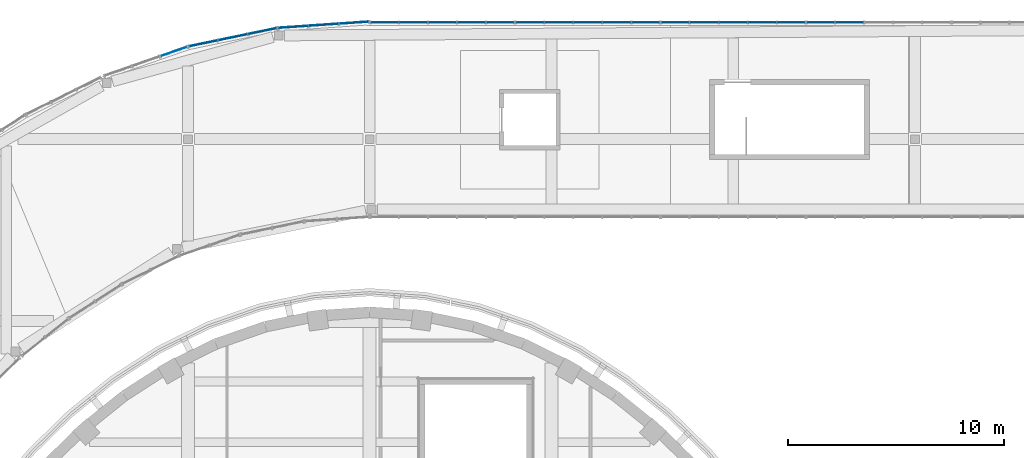
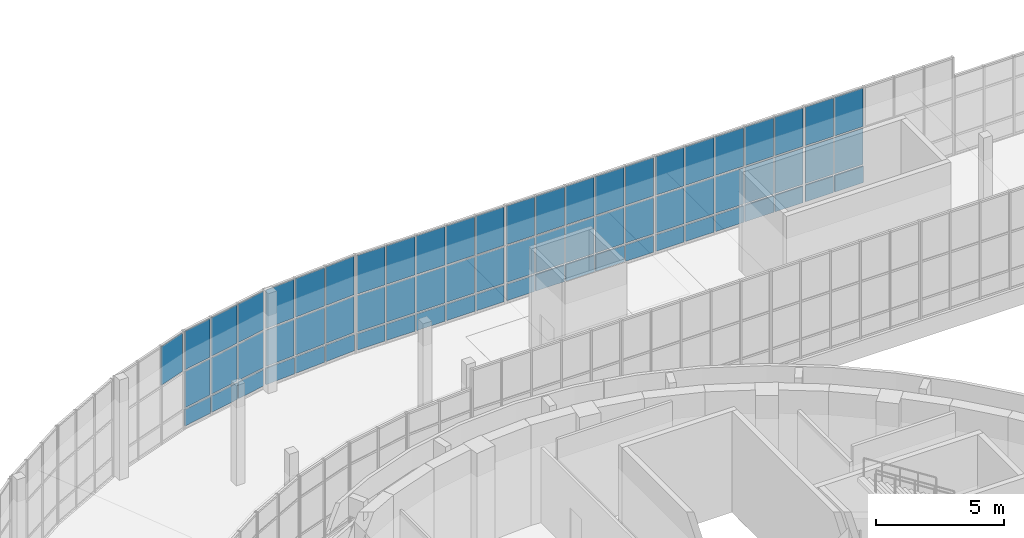
# One storey, part 47 of 103: 70 plates, 7 elements without a shape of their own.
"""IFC4 building model written with IfcOpenShell, lengths in metres."""

from ifc_helpers import new_model, si_unit, direction, frame, origin, origin_2d, place, context, subcontext, project, spatial, rectangle, extrude, material, layer, layer_set, type_object, element, aggregate, save


model = new_model("IFC4")

# Units and contexts
model_context = context("Model", 3, precision=1e-05, world=origin(), true_north=direction((0.0, 1.0)))
body_context = subcontext(model_context, "Body", "Model", "MODEL_VIEW")
ifc_project = project(units=[si_unit("LENGTHUNIT", "METRE"), si_unit("AREAUNIT", "SQUARE_METRE"), si_unit("VOLUMEUNIT", "CUBIC_METRE"), si_unit("PLANEANGLEUNIT", "RADIAN"), si_unit("MASSUNIT", "GRAM", prefix="KILO")], contexts=[model_context])

# Site, building, storey
site_placement = place(None, origin())
site = spatial("IfcSite", under=ifc_project, at=site_placement, CompositionType="ELEMENT")
building_placement = place(site_placement, origin())
building = spatial("IfcBuilding", under=site, at=building_placement, Name="Larchfold Concert Hall", CompositionType="ELEMENT")
storey_placement = place(building_placement, frame((0.0, 0.0, 9.60009765625)))
storey = spatial("IfcBuildingStorey", under=building, at=storey_placement, Name="L02", CompositionType="ELEMENT", Elevation=9.60009765625)

# Curtain wall, plates
ifc_material_1 = material(Name="Anodised graphite aluminium curtain wall", Category="aluminium")
ifc_layer_1 = layer(ifc_material_1, 0.14990234375)
ifc_layer_set_1 = layer_set([ifc_layer_1], Name="Anodised graphite aluminium curtain wall")
curtain_wall_type = type_object("IfcCurtainWallType", Name="Curtain wall WG", PredefinedType="NOTDEFINED", material=ifc_layer_set_1)
curtain_wall_1_placement = place(storey_placement, origin())
curtain_wall_1 = element("IfcCurtainWall", 1, at=curtain_wall_1_placement, inside=storey, type_object=curtain_wall_type, Name="Curtain wall CW0251", PredefinedType="NOTDEFINED")
ifc_material_2 = material(Name="Insulated glazing unit, glass", Category="glass")
ifc_layer_2 = layer(ifc_material_2, 0.028076171875)
ifc_layer_set_2 = layer_set([ifc_layer_2], Name="Insulated glazing unit, glass")
plate_type_1 = type_object("IfcPlateType", Name="Glass panel 28", PredefinedType="CURTAIN_PANEL", material=ifc_layer_set_2)
plate_1_placement = place(storey_placement, frame((64.776123046875, 132.0, 0.93994140625), z_axis=(0.0, 0.0, 1.0), x_axis=(-1.0, 0.0, 0.0)))
plate_1 = element("IfcPlate", 2, at=plate_1_placement, type_object=plate_type_1, Name="CW0251 panel 4.2", PredefinedType="CURTAIN_PANEL", context=body_context, shape_type="SweptSolid", body=[
    extrude(rectangle(XDim=1.283935546875, YDim=0.028076171875, at=origin_2d()), origin(), (0.0, 0.0, 1.0), 1.719970703125),
])
plate_2_placement = place(storey_placement, frame((64.776123046875, 132.0, 2.740234375), z_axis=(0.0, 0.0, 1.0), x_axis=(-1.0, 0.0, 0.0)))
plate_2 = element("IfcPlate", 3, at=plate_2_placement, type_object=plate_type_1, Name="CW0251 panel 4.3", PredefinedType="CURTAIN_PANEL", context=body_context, shape_type="SweptSolid", body=[
    extrude(rectangle(XDim=1.283935546875, YDim=0.028076171875, at=origin_2d()), origin(), (0.0, 0.0, 1.0), 1.829833984375),
])
plate_3_placement = place(storey_placement, frame((63.447021484375, 132.0, 0.93994140625), z_axis=(0.0, 0.0, 1.0), x_axis=(-1.0, 0.0, 0.0)))
plate_3 = element("IfcPlate", 4, at=plate_3_placement, type_object=plate_type_1, Name="CW0251 panel 5.2", PredefinedType="CURTAIN_PANEL", context=body_context, shape_type="SweptSolid", body=[
    extrude(rectangle(XDim=1.25390625, YDim=0.028076171875, at=origin_2d()), origin(), (0.0, 0.0, 1.0), 1.719970703125),
])
plate_4_placement = place(storey_placement, frame((63.447021484375, 132.0, 2.740234375), z_axis=(0.0, 0.0, 1.0), x_axis=(-1.0, 0.0, 0.0)))
plate_4 = element("IfcPlate", 5, at=plate_4_placement, type_object=plate_type_1, Name="CW0251 panel 5.3", PredefinedType="CURTAIN_PANEL", context=body_context, shape_type="SweptSolid", body=[
    extrude(rectangle(XDim=1.25390625, YDim=0.028076171875, at=origin_2d()), origin(), (0.0, 0.0, 1.0), 1.829833984375),
])

curtain_wall_2_placement = place(storey_placement, origin())
curtain_wall_2 = element("IfcCurtainWall", 6, at=curtain_wall_2_placement, inside=storey, type_object=curtain_wall_type, Name="Curtain wall CW0252", PredefinedType="NOTDEFINED")
plate_5_placement = place(storey_placement, frame((62.072998046875, 132.0, 0.93994140625), z_axis=(0.0, 0.0, 1.0), x_axis=(-1.0, 0.0, 0.0)))
plate_5 = element("IfcPlate", 7, at=plate_5_placement, type_object=plate_type_1, Name="CW0252 panel 1.2", PredefinedType="CURTAIN_PANEL", context=body_context, shape_type="SweptSolid", body=[
    extrude(rectangle(XDim=1.25390625, YDim=0.028076171875, at=origin_2d()), origin(), (0.0, 0.0, 1.0), 1.719970703125),
])
plate_6_placement = place(storey_placement, frame((62.072998046875, 132.0, 2.740234375), z_axis=(0.0, 0.0, 1.0), x_axis=(-1.0, 0.0, 0.0)))
plate_6 = element("IfcPlate", 8, at=plate_6_placement, type_object=plate_type_1, Name="CW0252 panel 1.3", PredefinedType="CURTAIN_PANEL", context=body_context, shape_type="SweptSolid", body=[
    extrude(rectangle(XDim=1.25390625, YDim=0.028076171875, at=origin_2d()), origin(), (0.0, 0.0, 1.0), 1.829833984375),
])
plate_7_placement = place(storey_placement, frame((60.744140625, 132.0, 0.93994140625), z_axis=(0.0, 0.0, 1.0), x_axis=(-1.0, 0.0, 0.0)))
plate_7 = element("IfcPlate", 9, at=plate_7_placement, type_object=plate_type_1, Name="CW0252 panel 2.2", PredefinedType="CURTAIN_PANEL", context=body_context, shape_type="SweptSolid", body=[
    extrude(rectangle(XDim=1.283935546875, YDim=0.028076171875, at=origin_2d()), origin(), (0.0, 0.0, 1.0), 1.719970703125),
])
plate_8_placement = place(storey_placement, frame((60.744140625, 132.0, 2.740234375), z_axis=(0.0, 0.0, 1.0), x_axis=(-1.0, 0.0, 0.0)))
plate_8 = element("IfcPlate", 10, at=plate_8_placement, type_object=plate_type_1, Name="CW0252 panel 2.3", PredefinedType="CURTAIN_PANEL", context=body_context, shape_type="SweptSolid", body=[
    extrude(rectangle(XDim=1.283935546875, YDim=0.028076171875, at=origin_2d()), origin(), (0.0, 0.0, 1.0), 1.829833984375),
])
plate_9_placement = place(storey_placement, frame((59.39990234375, 132.0, 0.93994140625), z_axis=(0.0, 0.0, 1.0), x_axis=(-1.0, 0.0, 0.0)))
plate_9 = element("IfcPlate", 11, at=plate_9_placement, type_object=plate_type_1, Name="CW0252 panel 3.2", PredefinedType="CURTAIN_PANEL", context=body_context, shape_type="SweptSolid", body=[
    extrude(rectangle(XDim=1.283935546875, YDim=0.028076171875, at=origin_2d()), origin(), (0.0, 0.0, 1.0), 1.719970703125),
])
plate_10_placement = place(storey_placement, frame((59.39990234375, 132.0, 2.740234375), z_axis=(0.0, 0.0, 1.0), x_axis=(-1.0, 0.0, 0.0)))
plate_10 = element("IfcPlate", 12, at=plate_10_placement, type_object=plate_type_1, Name="CW0252 panel 3.3", PredefinedType="CURTAIN_PANEL", context=body_context, shape_type="SweptSolid", body=[
    extrude(rectangle(XDim=1.283935546875, YDim=0.028076171875, at=origin_2d()), origin(), (0.0, 0.0, 1.0), 1.829833984375),
])
plate_11_placement = place(storey_placement, frame((58.055908203125, 132.0, 0.93994140625), z_axis=(0.0, 0.0, 1.0), x_axis=(-1.0, 0.0, 0.0)))
plate_11 = element("IfcPlate", 13, at=plate_11_placement, type_object=plate_type_1, Name="CW0252 panel 4.2", PredefinedType="CURTAIN_PANEL", context=body_context, shape_type="SweptSolid", body=[
    extrude(rectangle(XDim=1.283935546875, YDim=0.028076171875, at=origin_2d()), origin(), (0.0, 0.0, 1.0), 1.719970703125),
])
plate_12_placement = place(storey_placement, frame((58.055908203125, 132.0, 2.740234375), z_axis=(0.0, 0.0, 1.0), x_axis=(-1.0, 0.0, 0.0)))
plate_12 = element("IfcPlate", 14, at=plate_12_placement, type_object=plate_type_1, Name="CW0252 panel 4.3", PredefinedType="CURTAIN_PANEL", context=body_context, shape_type="SweptSolid", body=[
    extrude(rectangle(XDim=1.283935546875, YDim=0.028076171875, at=origin_2d()), origin(), (0.0, 0.0, 1.0), 1.829833984375),
])
plate_13_placement = place(storey_placement, frame((56.72705078125, 132.0, 0.93994140625), z_axis=(0.0, 0.0, 1.0), x_axis=(-1.0, 0.0, 0.0)))
plate_13 = element("IfcPlate", 15, at=plate_13_placement, type_object=plate_type_1, Name="CW0252 panel 5.2", PredefinedType="CURTAIN_PANEL", context=body_context, shape_type="SweptSolid", body=[
    extrude(rectangle(XDim=1.25390625, YDim=0.028076171875, at=origin_2d()), origin(), (0.0, 0.0, 1.0), 1.719970703125),
])
plate_14_placement = place(storey_placement, frame((56.72705078125, 132.0, 2.740234375), z_axis=(0.0, 0.0, 1.0), x_axis=(-1.0, 0.0, 0.0)))
plate_14 = element("IfcPlate", 16, at=plate_14_placement, type_object=plate_type_1, Name="CW0252 panel 5.3", PredefinedType="CURTAIN_PANEL", context=body_context, shape_type="SweptSolid", body=[
    extrude(rectangle(XDim=1.25390625, YDim=0.028076171875, at=origin_2d()), origin(), (0.0, 0.0, 1.0), 1.829833984375),
])

curtain_wall_3_placement = place(storey_placement, origin())
curtain_wall_3 = element("IfcCurtainWall", 17, at=curtain_wall_3_placement, inside=storey, type_object=curtain_wall_type, Name="Curtain wall CW0253", PredefinedType="NOTDEFINED")
plate_15_placement = place(storey_placement, frame((55.35302734375, 132.0, 0.93994140625), z_axis=(0.0, 0.0, 1.0), x_axis=(-1.0, 0.0, 0.0)))
plate_15 = element("IfcPlate", 18, at=plate_15_placement, type_object=plate_type_1, Name="CW0253 panel 1.2", PredefinedType="CURTAIN_PANEL", context=body_context, shape_type="SweptSolid", body=[
    extrude(rectangle(XDim=1.25390625, YDim=0.028076171875, at=origin_2d()), origin(), (0.0, 0.0, 1.0), 1.719970703125),
])
plate_16_placement = place(storey_placement, frame((55.35302734375, 132.0, 2.740234375), z_axis=(0.0, 0.0, 1.0), x_axis=(-1.0, 0.0, 0.0)))
plate_16 = element("IfcPlate", 19, at=plate_16_placement, type_object=plate_type_1, Name="CW0253 panel 1.3", PredefinedType="CURTAIN_PANEL", context=body_context, shape_type="SweptSolid", body=[
    extrude(rectangle(XDim=1.25390625, YDim=0.028076171875, at=origin_2d()), origin(), (0.0, 0.0, 1.0), 1.829833984375),
])
plate_17_placement = place(storey_placement, frame((54.02392578125, 132.0, 0.93994140625), z_axis=(0.0, 0.0, 1.0), x_axis=(-1.0, 0.0, 0.0)))
plate_17 = element("IfcPlate", 20, at=plate_17_placement, type_object=plate_type_1, Name="CW0253 panel 2.2", PredefinedType="CURTAIN_PANEL", context=body_context, shape_type="SweptSolid", body=[
    extrude(rectangle(XDim=1.283935546875, YDim=0.028076171875, at=origin_2d()), origin(), (0.0, 0.0, 1.0), 1.719970703125),
])
plate_18_placement = place(storey_placement, frame((54.02392578125, 132.0, 2.740234375), z_axis=(0.0, 0.0, 1.0), x_axis=(-1.0, 0.0, 0.0)))
plate_18 = element("IfcPlate", 21, at=plate_18_placement, type_object=plate_type_1, Name="CW0253 panel 2.3", PredefinedType="CURTAIN_PANEL", context=body_context, shape_type="SweptSolid", body=[
    extrude(rectangle(XDim=1.283935546875, YDim=0.028076171875, at=origin_2d()), origin(), (0.0, 0.0, 1.0), 1.829833984375),
])
plate_19_placement = place(storey_placement, frame((52.679931640625, 132.0, 0.93994140625), z_axis=(0.0, 0.0, 1.0), x_axis=(-1.0, 0.0, 0.0)))
plate_19 = element("IfcPlate", 22, at=plate_19_placement, type_object=plate_type_1, Name="CW0253 panel 3.2", PredefinedType="CURTAIN_PANEL", context=body_context, shape_type="SweptSolid", body=[
    extrude(rectangle(XDim=1.283935546875, YDim=0.028076171875, at=origin_2d()), origin(), (0.0, 0.0, 1.0), 1.719970703125),
])
plate_20_placement = place(storey_placement, frame((52.679931640625, 132.0, 2.740234375), z_axis=(0.0, 0.0, 1.0), x_axis=(-1.0, 0.0, 0.0)))
plate_20 = element("IfcPlate", 23, at=plate_20_placement, type_object=plate_type_1, Name="CW0253 panel 3.3", PredefinedType="CURTAIN_PANEL", context=body_context, shape_type="SweptSolid", body=[
    extrude(rectangle(XDim=1.283935546875, YDim=0.028076171875, at=origin_2d()), origin(), (0.0, 0.0, 1.0), 1.829833984375),
])
plate_21_placement = place(storey_placement, frame((51.3359375, 132.0, 0.93994140625), z_axis=(0.0, 0.0, 1.0), x_axis=(-1.0, 0.0, 0.0)))
plate_21 = element("IfcPlate", 24, at=plate_21_placement, type_object=plate_type_1, Name="CW0253 panel 4.2", PredefinedType="CURTAIN_PANEL", context=body_context, shape_type="SweptSolid", body=[
    extrude(rectangle(XDim=1.283935546875, YDim=0.028076171875, at=origin_2d()), origin(), (0.0, 0.0, 1.0), 1.719970703125),
])
plate_22_placement = place(storey_placement, frame((51.3359375, 132.0, 2.740234375), z_axis=(0.0, 0.0, 1.0), x_axis=(-1.0, 0.0, 0.0)))
plate_22 = element("IfcPlate", 25, at=plate_22_placement, type_object=plate_type_1, Name="CW0253 panel 4.3", PredefinedType="CURTAIN_PANEL", context=body_context, shape_type="SweptSolid", body=[
    extrude(rectangle(XDim=1.283935546875, YDim=0.028076171875, at=origin_2d()), origin(), (0.0, 0.0, 1.0), 1.829833984375),
])
plate_23_placement = place(storey_placement, frame((50.007080078125, 132.0, 0.93994140625), z_axis=(0.0, 0.0, 1.0), x_axis=(-1.0, 0.0, 0.0)))
plate_23 = element("IfcPlate", 26, at=plate_23_placement, type_object=plate_type_1, Name="CW0253 panel 5.2", PredefinedType="CURTAIN_PANEL", context=body_context, shape_type="SweptSolid", body=[
    extrude(rectangle(XDim=1.25390625, YDim=0.028076171875, at=origin_2d()), origin(), (0.0, 0.0, 1.0), 1.719970703125),
])
plate_24_placement = place(storey_placement, frame((50.007080078125, 132.0, 2.740234375), z_axis=(0.0, 0.0, 1.0), x_axis=(-1.0, 0.0, 0.0)))
plate_24 = element("IfcPlate", 27, at=plate_24_placement, type_object=plate_type_1, Name="CW0253 panel 5.3", PredefinedType="CURTAIN_PANEL", context=body_context, shape_type="SweptSolid", body=[
    extrude(rectangle(XDim=1.25390625, YDim=0.028076171875, at=origin_2d()), origin(), (0.0, 0.0, 1.0), 1.829833984375),
])

curtain_wall_4_placement = place(storey_placement, origin())
curtain_wall_4 = element("IfcCurtainWall", 28, at=curtain_wall_4_placement, inside=storey, type_object=curtain_wall_type, Name="Curtain wall CW0254", PredefinedType="NOTDEFINED")
plate_25_placement = place(storey_placement, frame((48.633056640625, 132.0, 0.93994140625), z_axis=(0.0, 0.0, 1.0), x_axis=(-1.0, 0.0, 0.0)))
plate_25 = element("IfcPlate", 29, at=plate_25_placement, type_object=plate_type_1, Name="CW0254 panel 1.2", PredefinedType="CURTAIN_PANEL", context=body_context, shape_type="SweptSolid", body=[
    extrude(rectangle(XDim=1.25390625, YDim=0.028076171875, at=origin_2d()), origin(), (0.0, 0.0, 1.0), 1.719970703125),
])
plate_26_placement = place(storey_placement, frame((48.633056640625, 132.0, 2.740234375), z_axis=(0.0, 0.0, 1.0), x_axis=(-1.0, 0.0, 0.0)))
plate_26 = element("IfcPlate", 30, at=plate_26_placement, type_object=plate_type_1, Name="CW0254 panel 1.3", PredefinedType="CURTAIN_PANEL", context=body_context, shape_type="SweptSolid", body=[
    extrude(rectangle(XDim=1.25390625, YDim=0.028076171875, at=origin_2d()), origin(), (0.0, 0.0, 1.0), 1.829833984375),
])
plate_27_placement = place(storey_placement, frame((47.303955078125, 132.0, 0.93994140625), z_axis=(0.0, 0.0, 1.0), x_axis=(-1.0, 0.0, 0.0)))
plate_27 = element("IfcPlate", 31, at=plate_27_placement, type_object=plate_type_1, Name="CW0254 panel 2.2", PredefinedType="CURTAIN_PANEL", context=body_context, shape_type="SweptSolid", body=[
    extrude(rectangle(XDim=1.283935546875, YDim=0.028076171875, at=origin_2d()), origin(), (0.0, 0.0, 1.0), 1.719970703125),
])
plate_28_placement = place(storey_placement, frame((47.303955078125, 132.0, 2.740234375), z_axis=(0.0, 0.0, 1.0), x_axis=(-1.0, 0.0, 0.0)))
plate_28 = element("IfcPlate", 32, at=plate_28_placement, type_object=plate_type_1, Name="CW0254 panel 2.3", PredefinedType="CURTAIN_PANEL", context=body_context, shape_type="SweptSolid", body=[
    extrude(rectangle(XDim=1.283935546875, YDim=0.028076171875, at=origin_2d()), origin(), (0.0, 0.0, 1.0), 1.829833984375),
])
plate_29_placement = place(storey_placement, frame((45.960205078125, 132.0, 0.93994140625), z_axis=(0.0, 0.0, 1.0), x_axis=(-1.0, 0.0, 0.0)))
plate_29 = element("IfcPlate", 33, at=plate_29_placement, type_object=plate_type_1, Name="CW0254 panel 3.2", PredefinedType="CURTAIN_PANEL", context=body_context, shape_type="SweptSolid", body=[
    extrude(rectangle(XDim=1.283935546875, YDim=0.028076171875, at=origin_2d()), origin(), (0.0, 0.0, 1.0), 1.719970703125),
])
plate_30_placement = place(storey_placement, frame((45.960205078125, 132.0, 2.740234375), z_axis=(0.0, 0.0, 1.0), x_axis=(-1.0, 0.0, 0.0)))
plate_30 = element("IfcPlate", 34, at=plate_30_placement, type_object=plate_type_1, Name="CW0254 panel 3.3", PredefinedType="CURTAIN_PANEL", context=body_context, shape_type="SweptSolid", body=[
    extrude(rectangle(XDim=1.283935546875, YDim=0.028076171875, at=origin_2d()), origin(), (0.0, 0.0, 1.0), 1.829833984375),
])
plate_31_placement = place(storey_placement, frame((44.615966796875, 132.0, 0.93994140625), z_axis=(0.0, 0.0, 1.0), x_axis=(-1.0, 0.0, 0.0)))
plate_31 = element("IfcPlate", 35, at=plate_31_placement, type_object=plate_type_1, Name="CW0254 panel 4.2", PredefinedType="CURTAIN_PANEL", context=body_context, shape_type="SweptSolid", body=[
    extrude(rectangle(XDim=1.283935546875, YDim=0.028076171875, at=origin_2d()), origin(), (0.0, 0.0, 1.0), 1.719970703125),
])
plate_32_placement = place(storey_placement, frame((44.615966796875, 132.0, 2.740234375), z_axis=(0.0, 0.0, 1.0), x_axis=(-1.0, 0.0, 0.0)))
plate_32 = element("IfcPlate", 36, at=plate_32_placement, type_object=plate_type_1, Name="CW0254 panel 4.3", PredefinedType="CURTAIN_PANEL", context=body_context, shape_type="SweptSolid", body=[
    extrude(rectangle(XDim=1.283935546875, YDim=0.028076171875, at=origin_2d()), origin(), (0.0, 0.0, 1.0), 1.829833984375),
])
plate_33_placement = place(storey_placement, frame((43.287109375, 132.0, 0.93994140625), z_axis=(0.0, 0.0, 1.0), x_axis=(-1.0, 0.0, 0.0)))
plate_33 = element("IfcPlate", 37, at=plate_33_placement, type_object=plate_type_1, Name="CW0254 panel 5.2", PredefinedType="CURTAIN_PANEL", context=body_context, shape_type="SweptSolid", body=[
    extrude(rectangle(XDim=1.25390625, YDim=0.028076171875, at=origin_2d()), origin(), (0.0, 0.0, 1.0), 1.719970703125),
])
plate_34_placement = place(storey_placement, frame((43.287109375, 132.0, 2.740234375), z_axis=(0.0, 0.0, 1.0), x_axis=(-1.0, 0.0, 0.0)))
plate_34 = element("IfcPlate", 38, at=plate_34_placement, type_object=plate_type_1, Name="CW0254 panel 5.3", PredefinedType="CURTAIN_PANEL", context=body_context, shape_type="SweptSolid", body=[
    extrude(rectangle(XDim=1.25390625, YDim=0.028076171875, at=origin_2d()), origin(), (0.0, 0.0, 1.0), 1.829833984375),
])

curtain_wall_5_placement = place(storey_placement, origin())
curtain_wall_5 = element("IfcCurtainWall", 39, at=curtain_wall_5_placement, inside=storey, type_object=curtain_wall_type, Name="Curtain wall CW0255", PredefinedType="NOTDEFINED")
plate_35_placement = place(storey_placement, frame((41.875732421875, 131.98193359375, 0.93994140625), z_axis=(0.0, 0.0, 1.0), x_axis=(-0.997631411884, -0.068786379634, 0.0)))
plate_35 = element("IfcPlate", 40, at=plate_35_placement, type_object=plate_type_1, Name="CW0255 panel 1.2", PredefinedType="CURTAIN_PANEL", context=body_context, shape_type="SweptSolid", body=[
    extrude(rectangle(XDim=1.33203125, YDim=0.028076171875, at=origin_2d()), origin(), (0.0, 0.0, 1.0), 1.719970703125),
])
plate_36_placement = place(storey_placement, frame((41.875732421875, 131.98193359375, 2.740234375), z_axis=(0.0, 0.0, 1.0), x_axis=(-0.997631411884, -0.068786379634, 0.0)))
plate_36 = element("IfcPlate", 41, at=plate_36_placement, type_object=plate_type_1, Name="CW0255 panel 1.3", PredefinedType="CURTAIN_PANEL", context=body_context, shape_type="SweptSolid", body=[
    extrude(rectangle(XDim=1.33203125, YDim=0.028076171875, at=origin_2d()), origin(), (0.0, 0.0, 1.0), 1.829833984375),
])
plate_37_placement = place(storey_placement, frame((40.471923828125, 131.88525390625, 0.93994140625), z_axis=(0.0, 0.0, 1.0), x_axis=(-0.997631411884, -0.068786379634, 0.0)))
plate_37 = element("IfcPlate", 42, at=plate_37_placement, type_object=plate_type_1, Name="CW0255 panel 2.2", PredefinedType="CURTAIN_PANEL", context=body_context, shape_type="SweptSolid", body=[
    extrude(rectangle(XDim=1.362060546875, YDim=0.028076171875, at=origin_2d()), origin(), (0.0, 0.0, 1.0), 1.719970703125),
])
plate_38_placement = place(storey_placement, frame((40.471923828125, 131.88525390625, 2.740234375), z_axis=(0.0, 0.0, 1.0), x_axis=(-0.997631411884, -0.068786379634, 0.0)))
plate_38 = element("IfcPlate", 43, at=plate_38_placement, type_object=plate_type_1, Name="CW0255 panel 2.3", PredefinedType="CURTAIN_PANEL", context=body_context, shape_type="SweptSolid", body=[
    extrude(rectangle(XDim=1.362060546875, YDim=0.028076171875, at=origin_2d()), origin(), (0.0, 0.0, 1.0), 1.829833984375),
])
plate_39_placement = place(storey_placement, frame((39.068359375, 131.78857421875, 0.93994140625), z_axis=(0.0, 0.0, 1.0), x_axis=(-0.997631411884, -0.068786379634, 0.0)))
plate_39 = element("IfcPlate", 44, at=plate_39_placement, type_object=plate_type_1, Name="CW0255 panel 3.2", PredefinedType="CURTAIN_PANEL", context=body_context, shape_type="SweptSolid", body=[
    extrude(rectangle(XDim=1.33203125, YDim=0.028076171875, at=origin_2d()), origin(), (0.0, 0.0, 1.0), 1.719970703125),
])
plate_40_placement = place(storey_placement, frame((39.068359375, 131.78857421875, 2.740234375), z_axis=(0.0, 0.0, 1.0), x_axis=(-0.997631411884, -0.068786379634, 0.0)))
plate_40 = element("IfcPlate", 45, at=plate_40_placement, type_object=plate_type_1, Name="CW0255 panel 3.3", PredefinedType="CURTAIN_PANEL", context=body_context, shape_type="SweptSolid", body=[
    extrude(rectangle(XDim=1.33203125, YDim=0.028076171875, at=origin_2d()), origin(), (0.0, 0.0, 1.0), 1.829833984375),
])

curtain_wall_6_placement = place(storey_placement, origin())
curtain_wall_6 = element("IfcCurtainWall", 46, at=curtain_wall_6_placement, inside=storey, type_object=curtain_wall_type, Name="Curtain wall CW0256", PredefinedType="NOTDEFINED")
plate_41_placement = place(storey_placement, frame((37.640869140625, 131.5927734375, 0.93994140625), z_axis=(0.0, 0.0, 1.0), x_axis=(-0.979167280411, -0.203055255961, 0.0)))
plate_41 = element("IfcPlate", 47, at=plate_41_placement, type_object=plate_type_1, Name="CW0256 panel 1.2", PredefinedType="CURTAIN_PANEL", context=body_context, shape_type="SweptSolid", body=[
    extrude(rectangle(XDim=1.31640625, YDim=0.028076171875, at=origin_2d()), origin(), (0.0, 0.0, 1.0), 1.719970703125),
])
plate_42_placement = place(storey_placement, frame((37.640869140625, 131.5927734375, 2.740234375), z_axis=(0.0, 0.0, 1.0), x_axis=(-0.979167280411, -0.203055255961, 0.0)))
plate_42 = element("IfcPlate", 48, at=plate_42_placement, type_object=plate_type_1, Name="CW0256 panel 1.3", PredefinedType="CURTAIN_PANEL", context=body_context, shape_type="SweptSolid", body=[
    extrude(rectangle(XDim=1.31640625, YDim=0.028076171875, at=origin_2d()), origin(), (0.0, 0.0, 1.0), 1.829833984375),
])
plate_43_placement = place(storey_placement, frame((36.278564453125, 131.31005859375, 0.93994140625), z_axis=(0.0, 0.0, 1.0), x_axis=(-0.979167280411, -0.203055255961, 0.0)))
plate_43 = element("IfcPlate", 49, at=plate_43_placement, type_object=plate_type_1, Name="CW0256 panel 2.2", PredefinedType="CURTAIN_PANEL", context=body_context, shape_type="SweptSolid", body=[
    extrude(rectangle(XDim=1.346435546875, YDim=0.028076171875, at=origin_2d()), origin(), (0.0, 0.0, 1.0), 1.719970703125),
])
plate_44_placement = place(storey_placement, frame((36.278564453125, 131.31005859375, 2.740234375), z_axis=(0.0, 0.0, 1.0), x_axis=(-0.979167280411, -0.203055255961, 0.0)))
plate_44 = element("IfcPlate", 50, at=plate_44_placement, type_object=plate_type_1, Name="CW0256 panel 2.3", PredefinedType="CURTAIN_PANEL", context=body_context, shape_type="SweptSolid", body=[
    extrude(rectangle(XDim=1.346435546875, YDim=0.028076171875, at=origin_2d()), origin(), (0.0, 0.0, 1.0), 1.829833984375),
])
plate_45_placement = place(storey_placement, frame((34.916015625, 131.027587890625, 0.93994140625), z_axis=(0.0, 0.0, 1.0), x_axis=(-0.979167280411, -0.203055255961, 0.0)))
plate_45 = element("IfcPlate", 51, at=plate_45_placement, type_object=plate_type_1, Name="CW0256 panel 3.2", PredefinedType="CURTAIN_PANEL", context=body_context, shape_type="SweptSolid", body=[
    extrude(rectangle(XDim=1.31640625, YDim=0.028076171875, at=origin_2d()), origin(), (0.0, 0.0, 1.0), 1.719970703125),
])
plate_46_placement = place(storey_placement, frame((34.916015625, 131.027587890625, 2.740234375), z_axis=(0.0, 0.0, 1.0), x_axis=(-0.979167280411, -0.203055255961, 0.0)))
plate_46 = element("IfcPlate", 52, at=plate_46_placement, type_object=plate_type_1, Name="CW0256 panel 3.3", PredefinedType="CURTAIN_PANEL", context=body_context, shape_type="SweptSolid", body=[
    extrude(rectangle(XDim=1.31640625, YDim=0.028076171875, at=origin_2d()), origin(), (0.0, 0.0, 1.0), 1.829833984375),
])

# Curtain wall, plate
curtain_wall_7_placement = place(storey_placement, origin())
curtain_wall_7 = element("IfcCurtainWall", 53, at=curtain_wall_7_placement, inside=storey, type_object=curtain_wall_type, Name="Curtain wall CW0257", PredefinedType="NOTDEFINED")
plate_47_placement = place(storey_placement, frame((33.5478515625, 130.650146484375, 2.740234375), z_axis=(0.0, 0.0, 1.0), x_axis=(-0.944365305229, -0.328898419395, 0.0)))
plate_47 = element("IfcPlate", 54, at=plate_47_placement, type_object=plate_type_1, Name="CW0257 panel 1.3", PredefinedType="CURTAIN_PANEL", context=body_context, shape_type="SweptSolid", body=[
    extrude(rectangle(XDim=1.288330078125, YDim=0.028076171875, at=origin_2d()), origin(), (0.0, 0.0, 1.0), 1.829833984375),
])
aggregate(curtain_wall_7, [plate_47])

# Plate
ifc_material_3 = material(Name="White insulated panel")
ifc_layer_3 = layer(ifc_material_3, 0.06005859375)
ifc_layer_set_3 = layer_set([ifc_layer_3], Name="White insulated panel")
plate_type_2 = type_object("IfcPlateType", Name="Insulated spandrel panel 60", PredefinedType="CURTAIN_PANEL", material=ifc_layer_set_3)
plate_48_placement = place(storey_placement, frame((64.776123046875, 132.0, 0.080078125), z_axis=(0.0, 0.0, 1.0), x_axis=(-1.0, 0.0, 0.0)))
plate_48 = element("IfcPlate", 55, at=plate_48_placement, type_object=plate_type_2, Name="CW0251 panel 4.1", PredefinedType="CURTAIN_PANEL", context=body_context, shape_type="SweptSolid", body=[
    extrude(rectangle(XDim=1.283935546875, YDim=0.06005859375, at=origin_2d()), origin(), (0.0, 0.0, 1.0), 0.77978515625),
])

plate_49_placement = place(storey_placement, frame((63.447021484375, 132.0, 0.080078125), z_axis=(0.0, 0.0, 1.0), x_axis=(-1.0, 0.0, 0.0)))
plate_49 = element("IfcPlate", 56, at=plate_49_placement, type_object=plate_type_2, Name="CW0251 panel 5.1", PredefinedType="CURTAIN_PANEL", context=body_context, shape_type="SweptSolid", body=[
    extrude(rectangle(XDim=1.25390625, YDim=0.06005859375, at=origin_2d()), origin(), (0.0, 0.0, 1.0), 0.77978515625),
])

aggregate(curtain_wall_1, [plate_48, plate_1, plate_2, plate_49, plate_3, plate_4])

plate_50_placement = place(storey_placement, frame((62.072998046875, 132.0, 0.080078125), z_axis=(0.0, 0.0, 1.0), x_axis=(-1.0, 0.0, 0.0)))
plate_50 = element("IfcPlate", 57, at=plate_50_placement, type_object=plate_type_2, Name="CW0252 panel 1.1", PredefinedType="CURTAIN_PANEL", context=body_context, shape_type="SweptSolid", body=[
    extrude(rectangle(XDim=1.25390625, YDim=0.06005859375, at=origin_2d()), origin(), (0.0, 0.0, 1.0), 0.77978515625),
])

plate_51_placement = place(storey_placement, frame((60.744140625, 132.0, 0.080078125), z_axis=(0.0, 0.0, 1.0), x_axis=(-1.0, 0.0, 0.0)))
plate_51 = element("IfcPlate", 58, at=plate_51_placement, type_object=plate_type_2, Name="CW0252 panel 2.1", PredefinedType="CURTAIN_PANEL", context=body_context, shape_type="SweptSolid", body=[
    extrude(rectangle(XDim=1.283935546875, YDim=0.06005859375, at=origin_2d()), origin(), (0.0, 0.0, 1.0), 0.77978515625),
])

plate_52_placement = place(storey_placement, frame((59.39990234375, 132.0, 0.080078125), z_axis=(0.0, 0.0, 1.0), x_axis=(-1.0, 0.0, 0.0)))
plate_52 = element("IfcPlate", 59, at=plate_52_placement, type_object=plate_type_2, Name="CW0252 panel 3.1", PredefinedType="CURTAIN_PANEL", context=body_context, shape_type="SweptSolid", body=[
    extrude(rectangle(XDim=1.283935546875, YDim=0.06005859375, at=origin_2d()), origin(), (0.0, 0.0, 1.0), 0.77978515625),
])

plate_53_placement = place(storey_placement, frame((58.055908203125, 132.0, 0.080078125), z_axis=(0.0, 0.0, 1.0), x_axis=(-1.0, 0.0, 0.0)))
plate_53 = element("IfcPlate", 60, at=plate_53_placement, type_object=plate_type_2, Name="CW0252 panel 4.1", PredefinedType="CURTAIN_PANEL", context=body_context, shape_type="SweptSolid", body=[
    extrude(rectangle(XDim=1.283935546875, YDim=0.06005859375, at=origin_2d()), origin(), (0.0, 0.0, 1.0), 0.77978515625),
])

plate_54_placement = place(storey_placement, frame((56.72705078125, 132.0, 0.080078125), z_axis=(0.0, 0.0, 1.0), x_axis=(-1.0, 0.0, 0.0)))
plate_54 = element("IfcPlate", 61, at=plate_54_placement, type_object=plate_type_2, Name="CW0252 panel 5.1", PredefinedType="CURTAIN_PANEL", context=body_context, shape_type="SweptSolid", body=[
    extrude(rectangle(XDim=1.25390625, YDim=0.06005859375, at=origin_2d()), origin(), (0.0, 0.0, 1.0), 0.77978515625),
])

aggregate(curtain_wall_2, [plate_50, plate_5, plate_6, plate_51, plate_7, plate_8, plate_52, plate_9, plate_10, plate_53, plate_11, plate_12, plate_54, plate_13, plate_14])

plate_55_placement = place(storey_placement, frame((55.35302734375, 132.0, 0.080078125), z_axis=(0.0, 0.0, 1.0), x_axis=(-1.0, 0.0, 0.0)))
plate_55 = element("IfcPlate", 62, at=plate_55_placement, type_object=plate_type_2, Name="CW0253 panel 1.1", PredefinedType="CURTAIN_PANEL", context=body_context, shape_type="SweptSolid", body=[
    extrude(rectangle(XDim=1.25390625, YDim=0.06005859375, at=origin_2d()), origin(), (0.0, 0.0, 1.0), 0.77978515625),
])

plate_56_placement = place(storey_placement, frame((54.02392578125, 132.0, 0.080078125), z_axis=(0.0, 0.0, 1.0), x_axis=(-1.0, 0.0, 0.0)))
plate_56 = element("IfcPlate", 63, at=plate_56_placement, type_object=plate_type_2, Name="CW0253 panel 2.1", PredefinedType="CURTAIN_PANEL", context=body_context, shape_type="SweptSolid", body=[
    extrude(rectangle(XDim=1.283935546875, YDim=0.06005859375, at=origin_2d()), origin(), (0.0, 0.0, 1.0), 0.77978515625),
])

plate_57_placement = place(storey_placement, frame((52.679931640625, 132.0, 0.080078125), z_axis=(0.0, 0.0, 1.0), x_axis=(-1.0, 0.0, 0.0)))
plate_57 = element("IfcPlate", 64, at=plate_57_placement, type_object=plate_type_2, Name="CW0253 panel 3.1", PredefinedType="CURTAIN_PANEL", context=body_context, shape_type="SweptSolid", body=[
    extrude(rectangle(XDim=1.283935546875, YDim=0.06005859375, at=origin_2d()), origin(), (0.0, 0.0, 1.0), 0.77978515625),
])

plate_58_placement = place(storey_placement, frame((51.3359375, 132.0, 0.080078125), z_axis=(0.0, 0.0, 1.0), x_axis=(-1.0, 0.0, 0.0)))
plate_58 = element("IfcPlate", 65, at=plate_58_placement, type_object=plate_type_2, Name="CW0253 panel 4.1", PredefinedType="CURTAIN_PANEL", context=body_context, shape_type="SweptSolid", body=[
    extrude(rectangle(XDim=1.283935546875, YDim=0.06005859375, at=origin_2d()), origin(), (0.0, 0.0, 1.0), 0.77978515625),
])

plate_59_placement = place(storey_placement, frame((50.007080078125, 132.0, 0.080078125), z_axis=(0.0, 0.0, 1.0), x_axis=(-1.0, 0.0, 0.0)))
plate_59 = element("IfcPlate", 66, at=plate_59_placement, type_object=plate_type_2, Name="CW0253 panel 5.1", PredefinedType="CURTAIN_PANEL", context=body_context, shape_type="SweptSolid", body=[
    extrude(rectangle(XDim=1.25390625, YDim=0.06005859375, at=origin_2d()), origin(), (0.0, 0.0, 1.0), 0.77978515625),
])

aggregate(curtain_wall_3, [plate_55, plate_15, plate_16, plate_56, plate_17, plate_18, plate_57, plate_19, plate_20, plate_58, plate_21, plate_22, plate_59, plate_23, plate_24])

plate_60_placement = place(storey_placement, frame((48.633056640625, 132.0, 0.080078125), z_axis=(0.0, 0.0, 1.0), x_axis=(-1.0, 0.0, 0.0)))
plate_60 = element("IfcPlate", 67, at=plate_60_placement, type_object=plate_type_2, Name="CW0254 panel 1.1", PredefinedType="CURTAIN_PANEL", context=body_context, shape_type="SweptSolid", body=[
    extrude(rectangle(XDim=1.25390625, YDim=0.06005859375, at=origin_2d()), origin(), (0.0, 0.0, 1.0), 0.77978515625),
])

plate_61_placement = place(storey_placement, frame((47.303955078125, 132.0, 0.080078125), z_axis=(0.0, 0.0, 1.0), x_axis=(-1.0, 0.0, 0.0)))
plate_61 = element("IfcPlate", 68, at=plate_61_placement, type_object=plate_type_2, Name="CW0254 panel 2.1", PredefinedType="CURTAIN_PANEL", context=body_context, shape_type="SweptSolid", body=[
    extrude(rectangle(XDim=1.283935546875, YDim=0.06005859375, at=origin_2d()), origin(), (0.0, 0.0, 1.0), 0.77978515625),
])

plate_62_placement = place(storey_placement, frame((45.960205078125, 132.0, 0.080078125), z_axis=(0.0, 0.0, 1.0), x_axis=(-1.0, 0.0, 0.0)))
plate_62 = element("IfcPlate", 69, at=plate_62_placement, type_object=plate_type_2, Name="CW0254 panel 3.1", PredefinedType="CURTAIN_PANEL", context=body_context, shape_type="SweptSolid", body=[
    extrude(rectangle(XDim=1.283935546875, YDim=0.06005859375, at=origin_2d()), origin(), (0.0, 0.0, 1.0), 0.77978515625),
])

plate_63_placement = place(storey_placement, frame((44.615966796875, 132.0, 0.080078125), z_axis=(0.0, 0.0, 1.0), x_axis=(-1.0, 0.0, 0.0)))
plate_63 = element("IfcPlate", 70, at=plate_63_placement, type_object=plate_type_2, Name="CW0254 panel 4.1", PredefinedType="CURTAIN_PANEL", context=body_context, shape_type="SweptSolid", body=[
    extrude(rectangle(XDim=1.283935546875, YDim=0.06005859375, at=origin_2d()), origin(), (0.0, 0.0, 1.0), 0.77978515625),
])

plate_64_placement = place(storey_placement, frame((43.287109375, 132.0, 0.080078125), z_axis=(0.0, 0.0, 1.0), x_axis=(-1.0, 0.0, 0.0)))
plate_64 = element("IfcPlate", 71, at=plate_64_placement, type_object=plate_type_2, Name="CW0254 panel 5.1", PredefinedType="CURTAIN_PANEL", context=body_context, shape_type="SweptSolid", body=[
    extrude(rectangle(XDim=1.25390625, YDim=0.06005859375, at=origin_2d()), origin(), (0.0, 0.0, 1.0), 0.77978515625),
])

aggregate(curtain_wall_4, [plate_60, plate_25, plate_26, plate_61, plate_27, plate_28, plate_62, plate_29, plate_30, plate_63, plate_31, plate_32, plate_64, plate_33, plate_34])

plate_65_placement = place(storey_placement, frame((41.875732421875, 131.98193359375, 0.080078125), z_axis=(0.0, 0.0, 1.0), x_axis=(-0.997631411884, -0.068786379634, 0.0)))
plate_65 = element("IfcPlate", 72, at=plate_65_placement, type_object=plate_type_2, Name="CW0255 panel 1.1", PredefinedType="CURTAIN_PANEL", context=body_context, shape_type="SweptSolid", body=[
    extrude(rectangle(XDim=1.33203125, YDim=0.06005859375, at=origin_2d()), origin(), (0.0, 0.0, 1.0), 0.77978515625),
])

plate_66_placement = place(storey_placement, frame((40.471923828125, 131.88525390625, 0.080078125), z_axis=(0.0, 0.0, 1.0), x_axis=(-0.997631411884, -0.068786379634, 0.0)))
plate_66 = element("IfcPlate", 73, at=plate_66_placement, type_object=plate_type_2, Name="CW0255 panel 2.1", PredefinedType="CURTAIN_PANEL", context=body_context, shape_type="SweptSolid", body=[
    extrude(rectangle(XDim=1.362060546875, YDim=0.06005859375, at=origin_2d()), origin(), (0.0, 0.0, 1.0), 0.77978515625),
])

plate_67_placement = place(storey_placement, frame((39.068359375, 131.78857421875, 0.080078125), z_axis=(0.0, 0.0, 1.0), x_axis=(-0.997631411884, -0.068786379634, 0.0)))
plate_67 = element("IfcPlate", 74, at=plate_67_placement, type_object=plate_type_2, Name="CW0255 panel 3.1", PredefinedType="CURTAIN_PANEL", context=body_context, shape_type="SweptSolid", body=[
    extrude(rectangle(XDim=1.33203125, YDim=0.06005859375, at=origin_2d()), origin(), (0.0, 0.0, 1.0), 0.77978515625),
])

aggregate(curtain_wall_5, [plate_65, plate_35, plate_36, plate_66, plate_37, plate_38, plate_67, plate_39, plate_40])

plate_68_placement = place(storey_placement, frame((37.640869140625, 131.5927734375, 0.080078125), z_axis=(0.0, 0.0, 1.0), x_axis=(-0.979167280411, -0.203055255961, 0.0)))
plate_68 = element("IfcPlate", 75, at=plate_68_placement, type_object=plate_type_2, Name="CW0256 panel 1.1", PredefinedType="CURTAIN_PANEL", context=body_context, shape_type="SweptSolid", body=[
    extrude(rectangle(XDim=1.31640625, YDim=0.06005859375, at=origin_2d()), origin(), (0.0, 0.0, 1.0), 0.77978515625),
])

plate_69_placement = place(storey_placement, frame((36.278564453125, 131.31005859375, 0.080078125), z_axis=(0.0, 0.0, 1.0), x_axis=(-0.979167280411, -0.203055255961, 0.0)))
plate_69 = element("IfcPlate", 76, at=plate_69_placement, type_object=plate_type_2, Name="CW0256 panel 2.1", PredefinedType="CURTAIN_PANEL", context=body_context, shape_type="SweptSolid", body=[
    extrude(rectangle(XDim=1.346435546875, YDim=0.06005859375, at=origin_2d()), origin(), (0.0, 0.0, 1.0), 0.77978515625),
])

plate_70_placement = place(storey_placement, frame((34.916015625, 131.027587890625, 0.080078125), z_axis=(0.0, 0.0, 1.0), x_axis=(-0.979167280411, -0.203055255961, 0.0)))
plate_70 = element("IfcPlate", 77, at=plate_70_placement, type_object=plate_type_2, Name="CW0256 panel 3.1", PredefinedType="CURTAIN_PANEL", context=body_context, shape_type="SweptSolid", body=[
    extrude(rectangle(XDim=1.31640625, YDim=0.06005859375, at=origin_2d()), origin(), (0.0, 0.0, 1.0), 0.77978515625),
])

aggregate(curtain_wall_6, [plate_68, plate_41, plate_42, plate_69, plate_43, plate_44, plate_70, plate_45, plate_46])

save(model, "model.ifc")
